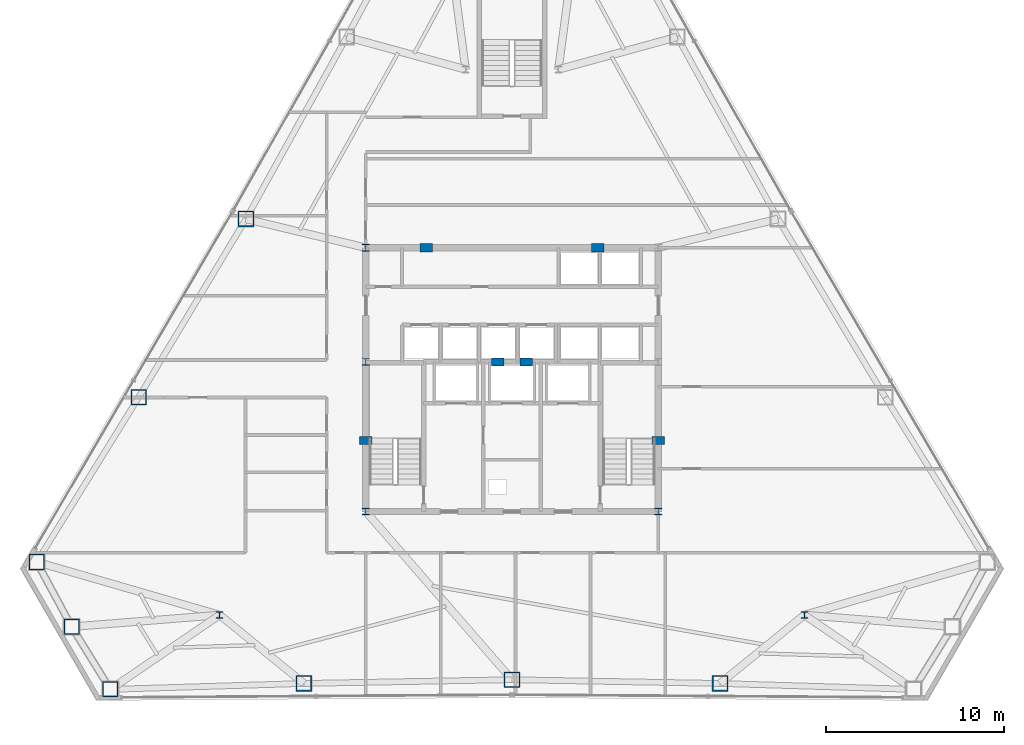
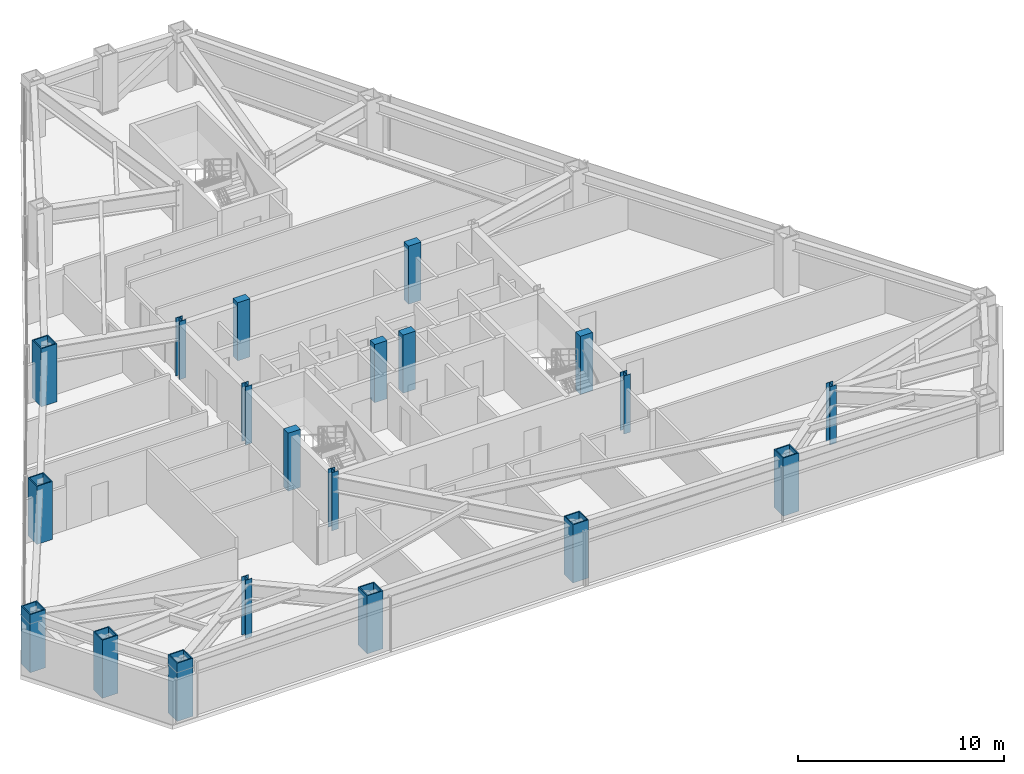
# One storey, part 1 of 12: 20 columns.
"""IFC4 building model written with IfcOpenShell, lengths in metres."""

from ifc_helpers import new_model, si_unit, direction, frame, origin, origin_2d, place, context, subcontext, project, spatial, rectangle, hollow_rectangle, i_section, extrude, material, material_profile, profile_set, type_object, element, save


model = new_model("IFC4")

# Units and contexts
model_context = context("Model", 3, precision=1e-05, world=origin(), true_north=direction((0.0, 1.0)))
body_context = subcontext(model_context, "Body", "Model", "MODEL_VIEW")
ifc_project = project(units=[si_unit("LENGTHUNIT", "METRE"), si_unit("AREAUNIT", "SQUARE_METRE"), si_unit("VOLUMEUNIT", "CUBIC_METRE"), si_unit("PLANEANGLEUNIT", "RADIAN"), si_unit("MASSUNIT", "GRAM", prefix="KILO")], contexts=[model_context])

# Site, building, storey
site_placement = place(None, origin())
site = spatial("IfcSite", under=ifc_project, at=site_placement, CompositionType="ELEMENT")
building_placement = place(site_placement, origin())
building = spatial("IfcBuilding", under=site, at=building_placement, Name="Varakhsha Concourse Tower", CompositionType="ELEMENT")
storey_placement = place(building_placement, frame((0.0, 0.0, 129.800048828125)))
storey = spatial("IfcBuildingStorey", under=building, at=storey_placement, Name="L37", CompositionType="ELEMENT", Elevation=129.800048828125)

# Columns
ifc_material_1 = material(Name="Structural Steel ASTM A992 Grade 50", Category="steel")
ifc_material_profile_1 = material_profile(ifc_material_1, i_section(OverallWidth=0.3740234375, OverallDepth=0.3720703125, WebThickness=0.01611328125, FlangeThickness=0.02587890625, at=origin_2d()), Name="W14X132")
ifc_profile_set_1 = profile_set([ifc_material_profile_1], Name="Structural Steel ASTM A992 Grade 50")
column_type_1 = type_object("IfcColumnType", Name="CL-CORE-W14X132", PredefinedType="COLUMN", material=ifc_profile_set_1)
for number, where, z_axis, x_axis, name in (
    (1, (31.800048828125, 16.39990234375, 0.0), (0.0, 0.0, 1.0), (1.0, 0.0, 0.0), "L37 Core Column CC-SW"),
    (2, (48.199951171875, 16.39990234375, 0.0), (0.0, 0.0, 1.0), (1.0, 0.0, 0.0), "L37 Core Column CC-SE"),
    (3, (31.800048828125, 24.800048828125, 0.0), (0.0, 0.0, 1.0), (1.0, 0.0, 0.0), "L37 Core Column CC-MW"),
    (4, (31.800048828125, 31.199951171875, 0.0), (0.0, 0.0, 1.0), (1.0, 0.0, 0.0), "L37 Core Column CC-NW"),
    (5, (23.60009765625, 10.60009765625, 0.0), (0.0, 0.0, 1.0), (1.0, 0.0, 0.0), "L37 Core Column SS-W"),
    (6, (56.39990234375, 10.60009765625, 0.0), (0.0, 0.0, 1.0), (1.0, 0.0, 0.0), "L37 Core Column SS-E"),
):
    element("IfcColumn", number, at=place(storey_placement, frame(where, z_axis=z_axis, x_axis=x_axis)), inside=storey, type_object=column_type_1, Name=name, PredefinedType="COLUMN", context=body_context, shape_type="SweptSolid", body=[
        extrude(i_section(OverallWidth=0.3740234375, OverallDepth=0.3720703125, WebThickness=0.01611328125, FlangeThickness=0.02587890625, at=origin_2d()), origin(), (0.0, 0.0, 1.0), 3.449951171875),
    ])
ifc_material_2 = material(Name="Concrete fc 65 MPa", Category="concrete")
ifc_material_profile_2 = material_profile(ifc_material_2, rectangle(XDim=0.699951171875, YDim=0.449951171875, at=origin_2d()), Name="RC 700x450")
ifc_profile_set_2 = profile_set([ifc_material_profile_2], Name="Concrete fc 65 MPa")
column_type_2 = type_object("IfcColumnType", Name="CL-PIL-700X450", PredefinedType="PILASTER", material=ifc_profile_set_2)
for number, where, z_axis, x_axis, name in (
    (7, (31.800048828125, 20.39990234375, 0.0), (0.0, 0.0, 1.0), (1.0, 0.0, 0.0), "L37 Core Boundary Pilaster PIL-W1"),
    (8, (48.199951171875, 20.39990234375, 0.0), (0.0, 0.0, 1.0), (1.0, 0.0, 0.0), "L37 Core Boundary Pilaster PIL-E1"),
    (9, (35.199951171875, 31.199951171875, 0.0), (0.0, 0.0, 1.0), (1.0, 0.0, 0.0), "L37 Core Boundary Pilaster PIL-N1"),
    (10, (44.800048828125, 31.199951171875, 0.0), (0.0, 0.0, 1.0), (1.0, 0.0, 0.0), "L37 Core Boundary Pilaster PIL-N2"),
    (11, (39.199951171875, 24.800048828125, 0.0), (0.0, 0.0, 1.0), (1.0, 0.0, 0.0), "L37 Core Boundary Pilaster PIL-M1"),
    (12, (40.800048828125, 24.800048828125, 0.0), (0.0, 0.0, 1.0), (1.0, 0.0, 0.0), "L37 Core Boundary Pilaster PIL-M2"),
):
    element("IfcColumn", number, at=place(storey_placement, frame(where, z_axis=z_axis, x_axis=x_axis)), inside=storey, type_object=column_type_2, Name=name, PredefinedType="PILASTER", context=body_context, shape_type="SweptSolid", body=[
        extrude(rectangle(XDim=0.699951171875, YDim=0.449951171875, at=origin_2d()), origin(), (0.0, 0.0, 1.0), 3.449951171875),
    ])
ifc_material_3 = material(Name="Structural Steel ASTM A572 Grade 50", Category="steel")
ifc_material_profile_3 = material_profile(ifc_material_3, hollow_rectangle(XDim=0.8798828125, YDim=0.8798828125, WallThickness=0.06005859375, at=origin_2d()), Name="BOX 880x880x60")
ifc_profile_set_3 = profile_set([ifc_material_profile_3], Name="Structural Steel ASTM A572 Grade 50")
column_type_3 = type_object("IfcColumnType", Name="CL-TUBE-880", PredefinedType="COLUMN", material=ifc_profile_set_3)
for number, where, z_axis, x_axis, name in (
    (13, (25.07861328125, 32.81494140625, 0.0), (0.0, 0.0, 1.0), (1.0, 0.0, 0.0), "L37 Framed-Tube Column TC05"),
    (14, (19.06103515625, 22.814453125, 0.0), (0.0, 0.0, 1.0), (1.0, 0.0, 0.0), "L37 Framed-Tube Column TC06"),
    (15, (13.341796875, 13.572998046875, 0.0), (0.0, 0.0, 1.0), (1.0, 0.0, 0.0), "L37 Framed-Tube Column TC07"),
    (16, (15.299560546875, 9.939208984375, 0.0), (0.0, 0.0, 1.0), (1.0, 0.0, 0.0), "L37 Framed-Tube Column TC08"),
    (17, (17.4677734375, 6.4267578125, 0.0), (0.0, 0.0, 1.0), (1.0, 0.0, 0.0), "L37 Framed-Tube Column TC09"),
    (18, (28.33056640625, 6.759033203125, 0.0), (0.0, 0.0, 1.0), (1.0, 0.0, 0.0), "L37 Framed-Tube Column TC10"),
    (19, (40.0, 6.97021484375, 0.0), (0.0, 0.0, 1.0), (1.0, 0.0, 0.0), "L37 Framed-Tube Column TC11"),
    (20, (51.66943359375, 6.759033203125, 0.0), (0.0, 0.0, 1.0), (1.0, 0.0, 0.0), "L37 Framed-Tube Column TC12"),
):
    element("IfcColumn", number, at=place(storey_placement, frame(where, z_axis=z_axis, x_axis=x_axis)), inside=storey, type_object=column_type_3, Name=name, PredefinedType="COLUMN", context=body_context, shape_type="SweptSolid", body=[
        extrude(hollow_rectangle(XDim=0.8798828125, YDim=0.8798828125, WallThickness=0.06005859375, at=origin_2d()), origin(), (0.0, 0.0, 1.0), 3.449951171875),
    ])

save(model, "model.ifc")
